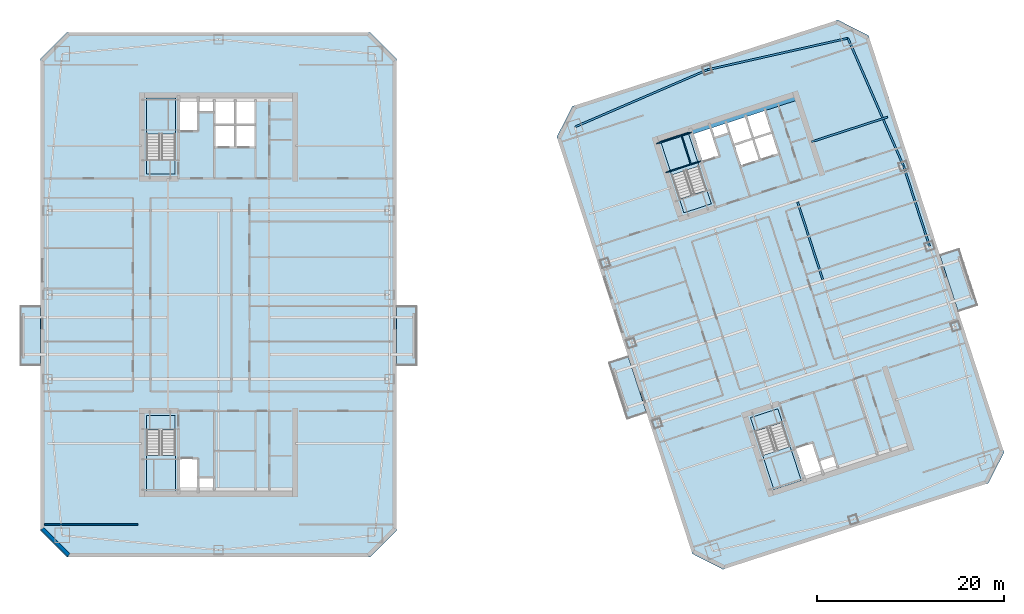
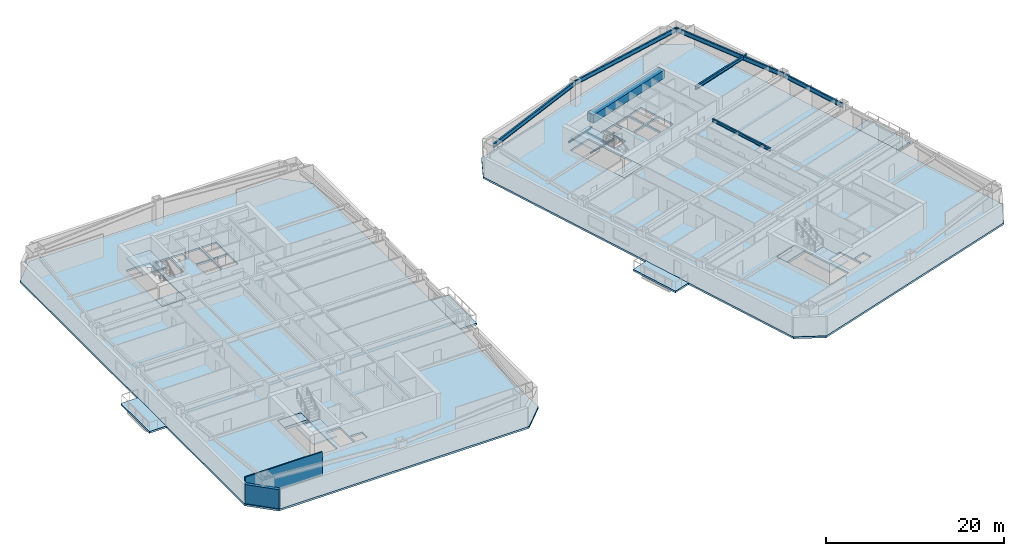
# One storey, part 3 of 14: 14 slabs, 10 beams, 2 walls, 4 elements without a shape of their own.
"""IFC4 building model written with IfcOpenShell, lengths in metres."""

from ifc_helpers import new_model, si_unit, direction, frame, frame_2d, origin, origin_2d, place, context, subcontext, project, spatial, polyline, rectangle, i_section, outline, extrude, material, layer, layer_set, material_profile, profile_set, type_object, element, aggregate, save


model = new_model("IFC4")

# Units and contexts
model_context = context("Model", 3, precision=1e-05, world=origin(), true_north=direction((0.0, 1.0)))
body_context = subcontext(model_context, "Body", "Model", "MODEL_VIEW")
ifc_project = project(units=[si_unit("LENGTHUNIT", "METRE"), si_unit("AREAUNIT", "SQUARE_METRE"), si_unit("VOLUMEUNIT", "CUBIC_METRE"), si_unit("PLANEANGLEUNIT", "RADIAN"), si_unit("MASSUNIT", "GRAM", prefix="KILO")], contexts=[model_context])

# Site, building, storey
site_placement = place(None, origin())
site = spatial("IfcSite", under=ifc_project, at=site_placement, CompositionType="ELEMENT")
building_placement = place(site_placement, origin())
building = spatial("IfcBuilding", under=site, at=building_placement, Name="Qiaolan Cultural Towers", CompositionType="ELEMENT")
storey_placement = place(building_placement, frame((0.0, 0.0, 103.5)))
storey = spatial("IfcBuildingStorey", under=building, at=storey_placement, Name="L26", CompositionType="ELEMENT", Elevation=103.5)

# Beams
ifc_material_1 = material(Name="Steel Q355B", Category="steel")
ifc_material_profile_1 = material_profile(ifc_material_1, i_section(OverallWidth=0.199951171875, OverallDepth=0.39990234375, WebThickness=0.008056640625, FlangeThickness=0.012939453125, at=origin_2d()), Name="HN400x200x8x13")
ifc_profile_set_1 = profile_set([ifc_material_profile_1], Name="Steel Q355B")
beam_type_1 = type_object("IfcBeamType", Name="BM-JST-HN400x200x8x13", PredefinedType="JOIST", material=ifc_profile_set_1)
beam_1_placement = place(storey_placement, frame((94.518798828125, 35.6259765625, 2.989990234375), z_axis=(-0.309020714809, 0.951055307445, 0.0), x_axis=(-0.951055307445, -0.309020714809, 0.0)))
element("IfcBeam", 1, at=beam_1_placement, inside=storey, type_object=beam_type_1, Name="L26 T2 Secondary Floor Joist U3-3", PredefinedType="JOIST", context=body_context, shape_type="SweptSolid", body=[
    extrude(i_section(OverallWidth=0.199951171875, OverallDepth=0.39990234375, WebThickness=0.008056640625, FlangeThickness=0.012939453125, at=origin_2d()), origin(), (0.0, 0.0, 1.0), 8.699951171875),
])
ifc_material_2 = material(Name="Steel Q355B", Category="steel")
ifc_material_profile_2 = material_profile(ifc_material_2, i_section(OverallWidth=0.199951171875, OverallDepth=0.449951171875, WebThickness=0.009033203125, FlangeThickness=0.013916015625, at=origin_2d()), Name="HN450x200x9x14")
ifc_profile_set_2 = profile_set([ifc_material_profile_2], Name="Steel Q355B")
beam_type_2 = type_object("IfcBeamType", Name="BM-LNT-HN450x200x9x14", PredefinedType="LINTEL", material=ifc_profile_set_2)
beam_2_placement = place(storey_placement, frame((93.31787109375, 50.32421875, 2.965087890625), z_axis=(0.951057358187, 0.309014403287, 0.0), x_axis=(-0.309014403287, 0.951057358187, 0.0)))
element("IfcBeam", 2, at=beam_2_placement, inside=storey, type_object=beam_type_2, Name="L26 T2 Core Flank Tie Lintel EN", PredefinedType="LINTEL", context=body_context, shape_type="SweptSolid", body=[
    extrude(i_section(OverallWidth=0.199951171875, OverallDepth=0.449951171875, WebThickness=0.009033203125, FlangeThickness=0.013916015625, at=origin_2d()), origin(), (0.0, 0.0, 1.0), 8.550048828125),
])
ifc_material_3 = material(Name="Concrete C50", Category="concrete")
ifc_material_profile_3 = material_profile(ifc_material_3, rectangle(XDim=0.89990234375, YDim=1.10009765625, at=origin_2d()), Name="RC900x1100")
ifc_profile_set_3 = profile_set([ifc_material_profile_3], Name="Concrete C50")
beam_type_3 = type_object("IfcBeamType", Name="BM-RC900x1100", PredefinedType="BEAM", material=ifc_profile_set_3)
beam_3_placement = place(storey_placement, frame((80.427978515625, 51.551025390625, 2.639892578125), z_axis=(0.951056266386, 0.309017763514, 0.0), x_axis=(-0.309017763514, 0.951056266386, 0.0)))
element("IfcBeam", 3, at=beam_3_placement, inside=storey, type_object=beam_type_3, Name="L26 T2 Core Header Girder N", PredefinedType="BEAM", context=body_context, shape_type="SweptSolid", body=[
    extrude(rectangle(XDim=0.89990234375, YDim=1.10009765625, at=origin_2d()), origin(), (0.0, 0.0, 1.0), 11.880126953125),
])
ifc_material_4 = material(Name="Steel Q355B", Category="steel")
ifc_material_profile_4 = material_profile(ifc_material_4, i_section(OverallWidth=0.199951171875, OverallDepth=0.60009765625, WebThickness=0.010986328125, FlangeThickness=0.01708984375, at=origin_2d()), Name="HN600x200x11x17")
ifc_profile_set_4 = profile_set([ifc_material_profile_4], Name="Steel Q355B")
beam_type_4 = type_object("IfcBeamType", Name="BM-SPD-HN600x200x11x17", PredefinedType="SPANDREL", material=ifc_profile_set_4)
beam_4_placement = place(storey_placement, frame((105.93017578125, 39.176025390625, 2.889892578125), z_axis=(-0.309024734286, 0.951054001411, 0.0), x_axis=(-0.951054001411, -0.309024734286, 0.0)))
element("IfcBeam", 4, at=beam_4_placement, inside=storey, type_object=beam_type_4, Name="L26 T2 Perimeter Spandrel Beam 5", PredefinedType="SPANDREL", context=body_context, shape_type="SweptSolid", body=[
    extrude(i_section(OverallWidth=0.199951171875, OverallDepth=0.60009765625, WebThickness=0.010986328125, FlangeThickness=0.01708984375, at=origin_2d()), origin(), (0.0, 0.0, 1.0), 9.0),
])
beam_5_placement = place(storey_placement, frame((103.14892578125, 47.735595703125, 2.889892578125), z_axis=(-0.398920370799, 0.916985571185, 0.0), x_axis=(-0.916985571185, -0.398920370799, 0.0)))
element("IfcBeam", 5, at=beam_5_placement, inside=storey, type_object=beam_type_4, Name="L26 T2 Perimeter Spandrel Beam 6", PredefinedType="SPANDREL", context=body_context, shape_type="SweptSolid", body=[
    extrude(i_section(OverallWidth=0.199951171875, OverallDepth=0.60009765625, WebThickness=0.010986328125, FlangeThickness=0.01708984375, at=origin_2d()), origin(), (0.0, 0.0, 1.0), 14.888916015625),
])
beam_6_placement = place(storey_placement, frame((97.20947265625, 61.388427734375, 2.889892578125), z_axis=(-0.975658154374, -0.219296980836, 0.0), x_axis=(0.219296980836, -0.975658154374, 0.0)))
element("IfcBeam", 6, at=beam_6_placement, inside=storey, type_object=beam_type_4, Name="L26 T2 Perimeter Spandrel Beam 7", PredefinedType="SPANDREL", context=body_context, shape_type="SweptSolid", body=[
    extrude(i_section(OverallWidth=0.199951171875, OverallDepth=0.60009765625, WebThickness=0.010986328125, FlangeThickness=0.01708984375, at=origin_2d()), origin(), (0.0, 0.0, 1.0), 15.38671875),
])
beam_7_placement = place(storey_placement, frame((82.197265625, 58.01416015625, 2.889892578125), z_axis=(-0.918217549337, -0.396076422032, 0.0), x_axis=(0.396076422032, -0.918217549337, 0.0)))
element("IfcBeam", 7, at=beam_7_placement, inside=storey, type_object=beam_type_4, Name="L26 T2 Perimeter Spandrel Beam 8", PredefinedType="SPANDREL", context=body_context, shape_type="SweptSolid", body=[
    extrude(i_section(OverallWidth=0.199951171875, OverallDepth=0.60009765625, WebThickness=0.010986328125, FlangeThickness=0.01708984375, at=origin_2d()), origin(), (0.0, 0.0, 1.0), 15.386474609375),
])
ifc_material_5 = material(Name="Steel Q355B", Category="steel")
ifc_material_profile_5 = material_profile(ifc_material_5, i_section(OverallWidth=0.10009765625, OverallDepth=0.199951171875, WebThickness=0.005615234375, FlangeThickness=0.008056640625, at=origin_2d()), Name="HN200x100x5.5x8")
ifc_profile_set_5 = profile_set([ifc_material_profile_5], Name="Steel Q355B")
beam_type_5 = type_object("IfcBeamType", Name="BM-STTRIM-200", PredefinedType="BEAM", material=ifc_profile_set_5)
for number, where, z_axis, x_axis, name in (
    (8, (77.769287109375, 47.0478515625, 1.425048828125), (0.951053746643, 0.309025518358, 0.0), (-0.309025518358, 0.951053746643, 0.0), "L26 ST-E2 Stair Landing Support Beam 1-1"),
    (9, (76.770751953125, 50.12109375, 1.425048828125), (0.951072048947, 0.3089691857, 0.0), (-0.3089691857, 0.951072048947, 0.0), "L26 ST-E2 Stair Landing Support Beam 1-2"),
):
    element("IfcBeam", number, at=place(storey_placement, frame(where, z_axis=z_axis, x_axis=x_axis)), inside=storey, type_object=beam_type_5, Name=name, PredefinedType="BEAM", context=body_context, shape_type="SweptSolid", body=[
        extrude(i_section(OverallWidth=0.10009765625, OverallDepth=0.199951171875, WebThickness=0.005615234375, FlangeThickness=0.008056640625, at=origin_2d()), origin(), (0.0, 0.0, 1.0), 3.920166015625),
    ])
beam_8_placement = place(storey_placement, frame((80.44189453125, 47.916259765625, 1.425048828125), z_axis=(-0.309033108495, 0.951051280349, 0.0), x_axis=(-0.951051280349, -0.309033108495, 0.0)))
element("IfcBeam", 10, at=beam_8_placement, inside=storey, type_object=beam_type_5, Name="L26 ST-E2 Stair Landing Trimmer 1", PredefinedType="BEAM", context=body_context, shape_type="SweptSolid", body=[
    extrude(i_section(OverallWidth=0.10009765625, OverallDepth=0.199951171875, WebThickness=0.005615234375, FlangeThickness=0.008056640625, at=origin_2d()), origin(), (0.0, 0.0, 1.0), 3.231201171875),
])

# Slabs
ifc_material_6 = material(Name="Concrete C50", Category="concrete")
ifc_layer_1 = layer(ifc_material_6, 0.260009765625)
ifc_layer_set_1 = layer_set([ifc_layer_1], Name="Concrete C50")
slab_type_1 = type_object("IfcSlabType", Name="SL-ARC-260", PredefinedType="FLOOR", material=ifc_layer_set_1)
slab_1_placement = place(storey_placement, frame((0.0, 0.0, -0.260009765625)))
element("IfcSlab", 11, at=slab_1_placement, inside=storey, type_object=slab_type_1, Name="L26 West Tower Floor Slab", PredefinedType="FLOOR", context=body_context, shape_type="SweptSolid", body=[
    extrude(outline(polyline([(13.800048828125, 6.0), (46.199951171875, 6.0), (49.0, 8.800048828125), (49.0, 59.199951171875), (46.199951171875, 62.0), (13.800048828125, 62.0), (11.0, 59.199951171875), (11.0, 8.800048828125), (13.800048828125, 6.0)]), holes=[polyline([(22.300048828125, 21.10009765625), (22.300048828125, 13.0), (25.3798828125, 13.0), (25.3798828125, 21.10009765625), (22.300048828125, 21.10009765625)]), polyline([(25.3798828125, 46.89990234375), (25.3798828125, 55.0), (22.300048828125, 55.0), (22.300048828125, 46.89990234375), (25.3798828125, 46.89990234375)]), polyline([(25.89990234375, 13.199951171875), (27.75, 13.199951171875), (27.75, 16.449951171875), (25.89990234375, 16.449951171875), (25.89990234375, 13.199951171875)]), polyline([(27.93994140625, 13.25), (29.449951171875, 13.25), (29.449951171875, 14.419921875), (27.93994140625, 14.419921875), (27.93994140625, 13.25)]), polyline([(25.89990234375, 51.550048828125), (27.75, 51.550048828125), (27.75, 54.800048828125), (25.89990234375, 54.800048828125), (25.89990234375, 51.550048828125)]), polyline([(27.93994140625, 53.580078125), (29.449951171875, 53.580078125), (29.449951171875, 54.75), (27.93994140625, 54.75), (27.93994140625, 53.580078125)]), polyline([(29.679931640625, 49.820068359375), (31.679931640625, 49.820068359375), (31.679931640625, 52.080078125), (29.679931640625, 52.080078125), (29.679931640625, 49.820068359375)]), polyline([(31.8798828125, 49.820068359375), (33.820068359375, 49.820068359375), (33.820068359375, 52.080078125), (31.8798828125, 52.080078125), (31.8798828125, 49.820068359375)]), polyline([(29.679931640625, 52.27001953125), (31.659912109375, 52.27001953125), (31.659912109375, 54.75), (29.679931640625, 54.75), (29.679931640625, 52.27001953125)]), polyline([(31.8798828125, 52.27001953125), (33.820068359375, 52.27001953125), (33.820068359375, 54.75), (31.8798828125, 54.75), (31.8798828125, 52.27001953125)])]), origin(), (0.0, 0.0, 1.0), 0.260009765625),
])
slab_2_placement = place(storey_placement, frame((0.0, 0.0, -0.260009765625)))
element("IfcSlab", 12, at=slab_2_placement, inside=storey, type_object=slab_type_1, Name="L26 East Tower Floor Slab", PredefinedType="FLOOR", context=body_context, shape_type="SweptSolid", body=[
    extrude(outline(polyline([(83.86376953125, 4.668212890625), (112.205078125, 13.876953125), (113.87451171875, 17.153076171875), (99.41259765625, 61.66259765625), (96.13623046875, 63.331787109375), (67.794921875, 54.123046875), (66.12548828125, 50.846923828125), (80.58740234375, 6.33740234375), (83.86376953125, 4.668212890625)]), holes=[polyline([(86.80126953125, 20.868896484375), (89.30419921875, 13.165283203125), (92.2333984375, 14.116943359375), (89.73046875, 21.820556640625), (86.80126953125, 20.868896484375)]), polyline([(82.623046875, 43.69482421875), (80.1201171875, 51.3984375), (77.190673828125, 50.44677734375), (79.69384765625, 42.7431640625), (82.623046875, 43.69482421875)]), polyline([(92.666259765625, 14.468017578125), (94.42578125, 15.03955078125), (93.42138671875, 18.130615234375), (91.661865234375, 17.558837890625), (92.666259765625, 14.468017578125)]), polyline([(94.5908203125, 15.14599609375), (96.027099609375, 15.612548828125), (95.66552734375, 16.725341796875), (94.2294921875, 16.258544921875), (94.5908203125, 15.14599609375)]), polyline([(81.6806640625, 48.278076171875), (83.440185546875, 48.849609375), (82.435791015625, 51.940673828125), (80.67626953125, 51.368896484375), (81.6806640625, 48.278076171875)]), polyline([(82.993408203125, 50.839111328125), (84.4296875, 51.3056640625), (84.068115234375, 52.41845703125), (82.632080078125, 51.95166015625), (82.993408203125, 50.839111328125)]), polyline([(85.810302734375, 47.80078125), (87.71240234375, 48.418701171875), (87.013916015625, 50.568115234375), (85.11181640625, 49.9501953125), (85.810302734375, 47.80078125)]), polyline([(87.902587890625, 48.480712890625), (89.74755859375, 49.080078125), (89.04931640625, 51.2294921875), (87.2041015625, 50.6298828125), (87.902587890625, 48.480712890625)]), polyline([(85.05322265625, 50.130859375), (86.936279296875, 50.74267578125), (86.169921875, 53.101318359375), (84.286865234375, 52.489501953125), (85.05322265625, 50.130859375)]), polyline([(87.1455078125, 50.810791015625), (88.990478515625, 51.41015625), (88.22412109375, 53.768798828125), (86.379150390625, 53.169189453125), (87.1455078125, 50.810791015625)])]), origin(), (0.0, 0.0, 1.0), 0.260009765625),
])
ifc_material_7 = material(Name="Concrete C45", Category="concrete")
ifc_layer_2 = layer(ifc_material_7, 0.239990234375)
ifc_layer_set_2 = layer_set([ifc_layer_2], Name="Concrete C45")
slab_type_2 = type_object("IfcSlabType", Name="SL-BAL-240", PredefinedType="FLOOR", material=ifc_layer_set_2)
slab_3_placement = place(storey_placement, frame((0.0, 0.0, -0.239990234375)))
element("IfcSlab", 13, at=slab_3_placement, inside=storey, type_object=slab_type_2, Name="L26 T1 Planted Tree Balcony W", PredefinedType="FLOOR", context=body_context, shape_type="SweptSolid", body=[
    extrude(outline(polyline([(8.800048828125, 26.39990234375), (11.0, 26.39990234375), (11.0, 32.800048828125), (8.800048828125, 32.800048828125), (8.800048828125, 26.39990234375)])), origin(), (0.0, 0.0, 1.0), 0.239990234375),
])
slab_4_placement = place(storey_placement, frame((0.0, 0.0, -0.239990234375)))
element("IfcSlab", 14, at=slab_4_placement, inside=storey, type_object=slab_type_2, Name="L26 T1 Planted Tree Balcony E", PredefinedType="FLOOR", context=body_context, shape_type="SweptSolid", body=[
    extrude(outline(polyline([(49.0, 26.39990234375), (51.199951171875, 26.39990234375), (51.199951171875, 32.800048828125), (49.0, 32.800048828125), (49.0, 26.39990234375)])), origin(), (0.0, 0.0, 1.0), 0.239990234375),
])
slab_5_placement = place(storey_placement, frame((0.0, 0.0, -0.239990234375)))
element("IfcSlab", 15, at=slab_5_placement, inside=storey, type_object=slab_type_2, Name="L26 T2 Planted Tree Balcony W", PredefinedType="FLOOR", context=body_context, shape_type="SweptSolid", body=[
    extrude(outline(polyline([(73.61279296875, 20.684326171875), (75.705078125, 21.3642578125), (73.727294921875, 27.450927734375), (71.635009765625, 26.77099609375), (73.61279296875, 20.684326171875)])), origin(), (0.0, 0.0, 1.0), 0.239990234375),
])
slab_6_placement = place(storey_placement, frame((0.0, 0.0, -0.239990234375)))
element("IfcSlab", 16, at=slab_6_placement, inside=storey, type_object=slab_type_2, Name="L26 T2 Planted Tree Balcony E", PredefinedType="FLOOR", context=body_context, shape_type="SweptSolid", body=[
    extrude(outline(polyline([(108.991943359375, 32.1796875), (111.084228515625, 32.859619140625), (109.106689453125, 38.9462890625), (107.014404296875, 38.2666015625), (108.991943359375, 32.1796875)])), origin(), (0.0, 0.0, 1.0), 0.239990234375),
])

# Stair, slab
ifc_material_8 = material(Name="Concrete C45", Category="concrete")
stair_type = type_object("IfcStairType", Name="STR-CORE-1500", PredefinedType="HALF_TURN_STAIR", material=ifc_material_8)
stair_1_placement = place(storey_placement, origin())
stair_1 = element("IfcStair", 17, at=stair_1_placement, inside=storey, type_object=stair_type, Name="L26 Smokeproof Exit Stair ST-W1", PredefinedType="HALF_TURN_STAIR")
ifc_material_9 = material(Name="Concrete C45", Category="concrete")
ifc_layer_3 = layer(ifc_material_9, 0.199951171875)
ifc_layer_set_3 = layer_set([ifc_layer_3], Name="Concrete C45")
slab_type_3 = type_object("IfcSlabType", Name="SL-STAIR-LAND", PredefinedType="LANDING", material=ifc_layer_set_3)
slab_7_placement = place(storey_placement, frame((0.0, 0.0, 1.52490234375)))
slab_7 = element("IfcSlab", 18, at=slab_7_placement, type_object=slab_type_3, Name="ST-W1 landing 1", PredefinedType="LANDING", context=body_context, shape_type="SweptSolid", body=[
    extrude(outline(polyline([(22.300048828125, 16.851318359375), (22.300048828125, 13.0), (25.3798828125, 13.0), (25.3798828125, 16.851318359375), (22.300048828125, 16.851318359375)])), origin(), (0.0, 0.0, 1.0), 0.2001953125),
])
aggregate(stair_1, [slab_7])

stair_2_placement = place(storey_placement, origin())
stair_2 = element("IfcStair", 19, at=stair_2_placement, inside=storey, type_object=stair_type, Name="L26 Smokeproof Exit Stair ST-W2", PredefinedType="HALF_TURN_STAIR")
slab_8_placement = place(storey_placement, frame((0.0, 0.0, 1.52490234375)))
slab_8 = element("IfcSlab", 20, at=slab_8_placement, type_object=slab_type_3, Name="ST-W2 landing 1", PredefinedType="LANDING", context=body_context, shape_type="SweptSolid", body=[
    extrude(outline(polyline([(25.3798828125, 51.148681640625), (25.3798828125, 55.0), (22.300048828125, 55.0), (22.300048828125, 51.148681640625), (25.3798828125, 51.148681640625)])), origin(), (0.0, 0.0, 1.0), 0.2001953125),
])
aggregate(stair_2, [slab_8])

stair_3_placement = place(storey_placement, origin())
stair_3 = element("IfcStair", 21, at=stair_3_placement, inside=storey, type_object=stair_type, Name="L26 Smokeproof Exit Stair ST-E1", PredefinedType="HALF_TURN_STAIR")
slab_9_placement = place(storey_placement, frame((0.0, 0.0, 1.52490234375)))
slab_9 = element("IfcSlab", 22, at=slab_9_placement, type_object=slab_type_3, Name="ST-E1 landing 1", PredefinedType="LANDING", context=body_context, shape_type="SweptSolid", body=[
    extrude(outline(polyline([(88.114013671875, 16.828125), (89.30419921875, 13.165283203125), (92.2333984375, 14.116943359375), (91.04345703125, 17.77978515625), (88.114013671875, 16.828125)])), origin(), (0.0, 0.0, 1.0), 0.2001953125),
])
aggregate(stair_3, [slab_9])

stair_4_placement = place(storey_placement, origin())
stair_4 = element("IfcStair", 23, at=stair_4_placement, inside=storey, type_object=stair_type, Name="L26 Smokeproof Exit Stair ST-E2", PredefinedType="HALF_TURN_STAIR")
slab_10_placement = place(storey_placement, frame((0.0, 0.0, 1.52490234375)))
slab_10 = element("IfcSlab", 24, at=slab_10_placement, type_object=slab_type_3, Name="ST-E2 landing 1", PredefinedType="LANDING", context=body_context, shape_type="SweptSolid", body=[
    extrude(outline(polyline([(81.31005859375, 47.735595703125), (80.1201171875, 51.3984375), (77.190673828125, 50.44677734375), (78.380859375, 46.783935546875), (81.31005859375, 47.735595703125)])), origin(), (0.0, 0.0, 1.0), 0.2001953125),
])
aggregate(stair_4, [slab_10])

# Slabs
ifc_material_10 = material(Name="Concrete C40", Category="concrete")
ifc_layer_4 = layer(ifc_material_10, 0.360107421875)
ifc_layer_set_4 = layer_set([ifc_layer_4], Name="Concrete C40")
slab_type_4 = type_object("IfcSlabType", Name="SL-STFLR-360", PredefinedType="LANDING", material=ifc_layer_set_4)
slab_11_placement = place(storey_placement, frame((0.0, 0.0, -0.360107421875)))
element("IfcSlab", 25, at=slab_11_placement, inside=storey, type_object=slab_type_4, Name="L26 ST-W1 Stair Floor Landing Slab", PredefinedType="LANDING", context=body_context, shape_type="SweptSolid", body=[
    extrude(outline(polyline([(22.302001953125, 21.097900390625), (22.302001953125, 19.548583984375), (25.3779296875, 19.548583984375), (25.3779296875, 21.097900390625), (22.302001953125, 21.097900390625)])), origin(), (0.0, 0.0, 1.0), 0.360107421875),
])
slab_12_placement = place(storey_placement, frame((0.0, 0.0, -0.360107421875)))
element("IfcSlab", 26, at=slab_12_placement, inside=storey, type_object=slab_type_4, Name="L26 ST-W2 Stair Floor Landing Slab", PredefinedType="LANDING", context=body_context, shape_type="SweptSolid", body=[
    extrude(outline(polyline([(25.3779296875, 46.902099609375), (25.3779296875, 48.451416015625), (22.302001953125, 48.451416015625), (22.302001953125, 46.902099609375), (25.3779296875, 46.902099609375)])), origin(), (0.0, 0.0, 1.0), 0.360107421875),
])
slab_13_placement = place(storey_placement, frame((0.0, 0.0, -0.360107421875)))
element("IfcSlab", 27, at=slab_13_placement, inside=storey, type_object=slab_type_4, Name="L26 ST-E1 Stair Floor Landing Slab", PredefinedType="LANDING", context=body_context, shape_type="SweptSolid", body=[
    extrude(outline(polyline([(86.8037109375, 20.867431640625), (87.282470703125, 19.39404296875), (90.2080078125, 20.3447265625), (89.729248046875, 21.818115234375), (86.8037109375, 20.867431640625)])), origin(), (0.0, 0.0, 1.0), 0.360107421875),
])
slab_14_placement = place(storey_placement, frame((0.0, 0.0, -0.360107421875)))
element("IfcSlab", 28, at=slab_14_placement, inside=storey, type_object=slab_type_4, Name="L26 ST-E2 Stair Floor Landing Slab", PredefinedType="LANDING", context=body_context, shape_type="SweptSolid", body=[
    extrude(outline(polyline([(82.62060546875, 43.6962890625), (82.141845703125, 45.169677734375), (79.21630859375, 44.21923828125), (79.695068359375, 42.74560546875), (82.62060546875, 43.6962890625)])), origin(), (0.0, 0.0, 1.0), 0.360107421875),
])

# Walls
ifc_material_11 = material(Name="Precast Concrete C50 Honed Stone Pier", Category="masonry")
ifc_layer_5 = layer(ifc_material_11, 0.39990234375)
ifc_layer_set_5 = layer_set([ifc_layer_5], Name="Precast Concrete C50 Honed Stone Pier")
wall_type_1 = type_object("IfcWallType", Name="WL-EXT-PIER-400", PredefinedType="SOLIDWALL", material=ifc_layer_set_5)
wall_1_placement = place(storey_placement, frame((14.0, 6.199951171875, 0.0), z_axis=(0.0, 0.0, 1.0), x_axis=(-0.707106781187, 0.707106781187, 0.0)))
element("IfcWall", 29, at=wall_1_placement, inside=storey, type_object=wall_type_1, Name="L26 West Tower Precast Pier Facade Wall F8", PredefinedType="SOLIDWALL", context=body_context, shape_type="SweptSolid", body=[
    extrude(rectangle(XDim=3.9599609375, YDim=0.39990234375, at=frame_2d((1.97998046875, 0.0))), origin(), (0.0, 0.0, 1.0), 2.610107421875),
])
ifc_material_12 = material(Name="Autoclaved Aerated Concrete Block B06", Category="concrete")
ifc_layer_6 = layer(ifc_material_12, 0.14990234375)
ifc_layer_set_6 = layer_set([ifc_layer_6], Name="Autoclaved Aerated Concrete Block B06")
wall_type_2 = type_object("IfcWallType", Name="WL-PART-150", PredefinedType="PARTITIONING", material=ifc_layer_set_6)
wall_2_placement = place(storey_placement, frame((11.39990234375, 9.449951171875, 0.0), z_axis=(0.0, 0.0, 1.0), x_axis=(1.0, 0.0, 0.0)))
element("IfcWall", 30, at=wall_2_placement, inside=storey, type_object=wall_type_2, Name="L26 T1 Flank Wall FLK-SW", PredefinedType="PARTITIONING", context=body_context, shape_type="SweptSolid", body=[
    extrude(rectangle(XDim=10.0, YDim=0.14990234375, at=frame_2d((5.0, 0.0))), origin(), (0.0, 0.0, 1.0), 3.175048828125),
])

save(model, "model.ifc")
